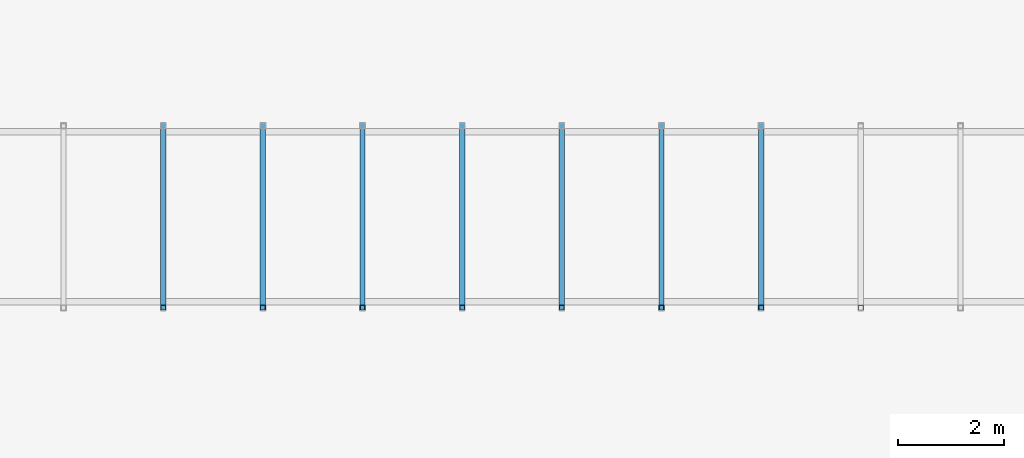
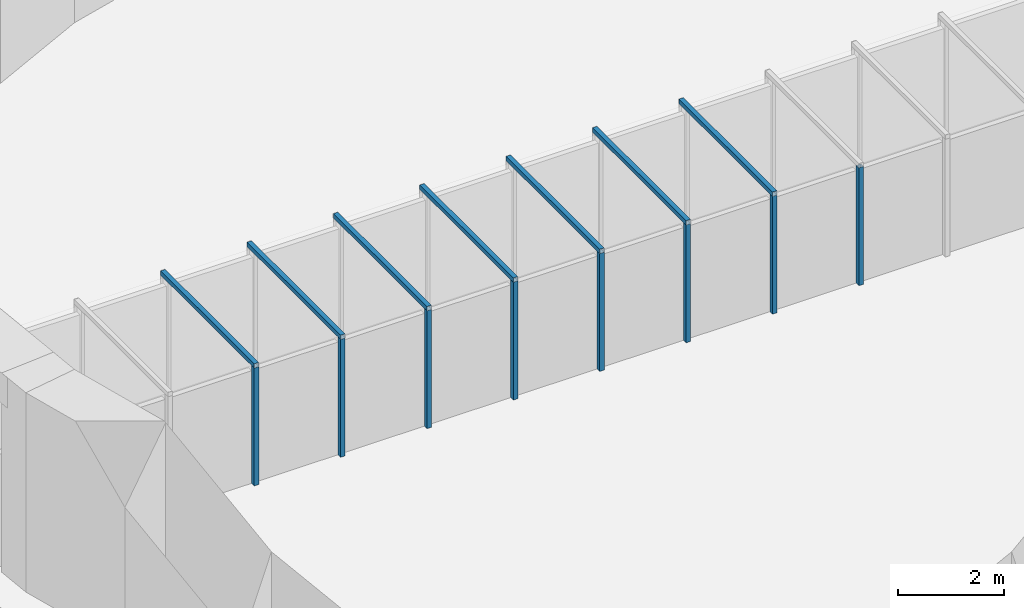
# One storey, part 11 of 85: 15 members, 1 element without a shape of its own.
"""IFC4 building model written with IfcOpenShell, lengths in metres."""

from ifc_helpers import new_model, si_unit, direction, frame, origin, origin_2d, place, context, subcontext, project, spatial, hollow_rectangle, extrude, material, material_profile, profile_set, type_object, element, aggregate, save


model = new_model("IFC4")

# Units and contexts
model_context = context("Model", 3, precision=1e-05, world=origin(), true_north=direction((0.0, 1.0)))
body_context = subcontext(model_context, "Body", "Model", "MODEL_VIEW")
ifc_project = project(units=[si_unit("LENGTHUNIT", "METRE"), si_unit("AREAUNIT", "SQUARE_METRE"), si_unit("VOLUMEUNIT", "CUBIC_METRE"), si_unit("PLANEANGLEUNIT", "RADIAN"), si_unit("MASSUNIT", "GRAM", prefix="KILO")], contexts=[model_context])

# Site, building, storey
site_placement = place(None, origin())
site = spatial("IfcSite", under=ifc_project, at=site_placement, CompositionType="ELEMENT")
building_placement = place(site_placement, origin())
building = spatial("IfcBuilding", under=site, at=building_placement, Name="Volute Hill Aquarium", CompositionType="ELEMENT")
storey_placement = place(building_placement, origin())
storey = spatial("IfcBuildingStorey", under=building, at=storey_placement, Name="L01", CompositionType="ELEMENT", Elevation=0.0)

# Curtain wall, members
ifc_material_1 = material(Name="Acrylic PMMA")
curtain_wall_type = type_object("IfcCurtainWallType", Name="Viewing tunnel acrylic assembly", PredefinedType="NOTDEFINED", material=ifc_material_1)
curtain_wall_placement = place(storey_placement, origin())
curtain_wall = element("IfcCurtainWall", 1, at=curtain_wall_placement, inside=storey, type_object=curtain_wall_type, Name="Viewing tunnel acrylic assembly", PredefinedType="NOTDEFINED")
ifc_material_2 = material(Name="Steel S355", Category="steel")
ifc_material_profile = material_profile(ifc_material_2, hollow_rectangle(XDim=0.10009765625, YDim=0.10009765625, WallThickness=0.0048828125, at=origin_2d()), Name="RHS 100x100x5")
ifc_profile_set = profile_set([ifc_material_profile], Name="Steel S355")
member_type = type_object("IfcMemberType", Name="Tunnel ring frame post RHS 100x100x5 S355", PredefinedType="USERDEFINED", material=ifc_profile_set)
member_1_placement = place(storey_placement, frame((-9.43115234375, -1.719970703125, 0.0), z_axis=(0.0, 0.0, 1.0), x_axis=(1.0, 0.0, 0.0)))
member_1 = element("IfcMember", 2, at=member_1_placement, type_object=member_type, Name="Tunnel ring frame post 4", ObjectType="Tunnel frame", PredefinedType="USERDEFINED", context=body_context, shape_type="SweptSolid", body=[
    extrude(hollow_rectangle(XDim=0.10009765625, YDim=0.10009765625, WallThickness=0.0048828125, at=origin_2d()), origin(), (0.0, 0.0, 1.0), 2.719970703125),
])
member_2_placement = place(storey_placement, frame((-9.43115234375, -1.77001953125, 2.77001953125), z_axis=(0.0, 1.0, 0.0), x_axis=(-1.0, 0.0, 0.0)))
member_2 = element("IfcMember", 3, at=member_2_placement, type_object=member_type, Name="Tunnel ring frame head 4", ObjectType="Tunnel frame", PredefinedType="USERDEFINED", context=body_context, shape_type="SweptSolid", body=[
    extrude(hollow_rectangle(XDim=0.10009765625, YDim=0.10009765625, WallThickness=0.0048828125, at=origin_2d()), origin(), (0.0, 0.0, 1.0), 3.5400390625),
])
member_3_placement = place(storey_placement, frame((-7.544921875, -1.719970703125, 0.0), z_axis=(0.0, 0.0, 1.0), x_axis=(1.0, 0.0, 0.0)))
member_3 = element("IfcMember", 4, at=member_3_placement, type_object=member_type, Name="Tunnel ring frame post 5", ObjectType="Tunnel frame", PredefinedType="USERDEFINED", context=body_context, shape_type="SweptSolid", body=[
    extrude(hollow_rectangle(XDim=0.10009765625, YDim=0.10009765625, WallThickness=0.0048828125, at=origin_2d()), origin(), (0.0, 0.0, 1.0), 2.719970703125),
])
member_4_placement = place(storey_placement, frame((-7.544921875, -1.77001953125, 2.77001953125), z_axis=(0.0, 1.0, 0.0), x_axis=(-1.0, 0.0, 0.0)))
member_4 = element("IfcMember", 5, at=member_4_placement, type_object=member_type, Name="Tunnel ring frame head 5", ObjectType="Tunnel frame", PredefinedType="USERDEFINED", context=body_context, shape_type="SweptSolid", body=[
    extrude(hollow_rectangle(XDim=0.10009765625, YDim=0.10009765625, WallThickness=0.0048828125, at=origin_2d()), origin(), (0.0, 0.0, 1.0), 3.5400390625),
])
member_5_placement = place(storey_placement, frame((-5.65869140625, -1.719970703125, 0.0), z_axis=(0.0, 0.0, 1.0), x_axis=(1.0, 0.0, 0.0)))
member_5 = element("IfcMember", 6, at=member_5_placement, type_object=member_type, Name="Tunnel ring frame post 6", ObjectType="Tunnel frame", PredefinedType="USERDEFINED", context=body_context, shape_type="SweptSolid", body=[
    extrude(hollow_rectangle(XDim=0.10009765625, YDim=0.10009765625, WallThickness=0.0048828125, at=origin_2d()), origin(), (0.0, 0.0, 1.0), 2.719970703125),
])
member_6_placement = place(storey_placement, frame((-5.65869140625, -1.77001953125, 2.77001953125), z_axis=(0.0, 1.0, 0.0), x_axis=(-1.0, 0.0, 0.0)))
member_6 = element("IfcMember", 7, at=member_6_placement, type_object=member_type, Name="Tunnel ring frame head 6", ObjectType="Tunnel frame", PredefinedType="USERDEFINED", context=body_context, shape_type="SweptSolid", body=[
    extrude(hollow_rectangle(XDim=0.10009765625, YDim=0.10009765625, WallThickness=0.0048828125, at=origin_2d()), origin(), (0.0, 0.0, 1.0), 3.5400390625),
])
member_7_placement = place(storey_placement, frame((-3.7724609375, -1.719970703125, 0.0), z_axis=(0.0, 0.0, 1.0), x_axis=(1.0, 0.0, 0.0)))
member_7 = element("IfcMember", 8, at=member_7_placement, type_object=member_type, Name="Tunnel ring frame post 7", ObjectType="Tunnel frame", PredefinedType="USERDEFINED", context=body_context, shape_type="SweptSolid", body=[
    extrude(hollow_rectangle(XDim=0.10009765625, YDim=0.10009765625, WallThickness=0.0048828125, at=origin_2d()), origin(), (0.0, 0.0, 1.0), 2.719970703125),
])
member_8_placement = place(storey_placement, frame((-3.7724609375, -1.77001953125, 2.77001953125), z_axis=(0.0, 1.0, 0.0), x_axis=(-1.0, 0.0, 0.0)))
member_8 = element("IfcMember", 9, at=member_8_placement, type_object=member_type, Name="Tunnel ring frame head 7", ObjectType="Tunnel frame", PredefinedType="USERDEFINED", context=body_context, shape_type="SweptSolid", body=[
    extrude(hollow_rectangle(XDim=0.10009765625, YDim=0.10009765625, WallThickness=0.0048828125, at=origin_2d()), origin(), (0.0, 0.0, 1.0), 3.5400390625),
])
member_9_placement = place(storey_placement, frame((-1.88623046875, -1.719970703125, 0.0), z_axis=(0.0, 0.0, 1.0), x_axis=(1.0, 0.0, 0.0)))
member_9 = element("IfcMember", 10, at=member_9_placement, type_object=member_type, Name="Tunnel ring frame post 8", ObjectType="Tunnel frame", PredefinedType="USERDEFINED", context=body_context, shape_type="SweptSolid", body=[
    extrude(hollow_rectangle(XDim=0.10009765625, YDim=0.10009765625, WallThickness=0.0048828125, at=origin_2d()), origin(), (0.0, 0.0, 1.0), 2.719970703125),
])
member_10_placement = place(storey_placement, frame((-1.88623046875, -1.77001953125, 2.77001953125), z_axis=(0.0, 1.0, 0.0), x_axis=(-1.0, 0.0, 0.0)))
member_10 = element("IfcMember", 11, at=member_10_placement, type_object=member_type, Name="Tunnel ring frame head 8", ObjectType="Tunnel frame", PredefinedType="USERDEFINED", context=body_context, shape_type="SweptSolid", body=[
    extrude(hollow_rectangle(XDim=0.10009765625, YDim=0.10009765625, WallThickness=0.0048828125, at=origin_2d()), origin(), (0.0, 0.0, 1.0), 3.5400390625),
])
member_11_placement = place(storey_placement, frame((0.0, -1.719970703125, 0.0), z_axis=(0.0, 0.0, 1.0), x_axis=(1.0, 0.0, 0.0)))
member_11 = element("IfcMember", 12, at=member_11_placement, type_object=member_type, Name="Tunnel ring frame post 9", ObjectType="Tunnel frame", PredefinedType="USERDEFINED", context=body_context, shape_type="SweptSolid", body=[
    extrude(hollow_rectangle(XDim=0.10009765625, YDim=0.10009765625, WallThickness=0.0048828125, at=origin_2d()), origin(), (0.0, 0.0, 1.0), 2.719970703125),
])
member_12_placement = place(storey_placement, frame((0.0, -1.77001953125, 2.77001953125), z_axis=(0.0, 1.0, 0.0), x_axis=(-1.0, 0.0, 0.0)))
member_12 = element("IfcMember", 13, at=member_12_placement, type_object=member_type, Name="Tunnel ring frame head 9", ObjectType="Tunnel frame", PredefinedType="USERDEFINED", context=body_context, shape_type="SweptSolid", body=[
    extrude(hollow_rectangle(XDim=0.10009765625, YDim=0.10009765625, WallThickness=0.0048828125, at=origin_2d()), origin(), (0.0, 0.0, 1.0), 3.5400390625),
])
member_13_placement = place(storey_placement, frame((1.88623046875, -1.719970703125, 0.0), z_axis=(0.0, 0.0, 1.0), x_axis=(1.0, 0.0, 0.0)))
member_13 = element("IfcMember", 14, at=member_13_placement, type_object=member_type, Name="Tunnel ring frame post 10", ObjectType="Tunnel frame", PredefinedType="USERDEFINED", context=body_context, shape_type="SweptSolid", body=[
    extrude(hollow_rectangle(XDim=0.10009765625, YDim=0.10009765625, WallThickness=0.0048828125, at=origin_2d()), origin(), (0.0, 0.0, 1.0), 2.719970703125),
])
member_14_placement = place(storey_placement, frame((1.88623046875, -1.77001953125, 2.77001953125), z_axis=(0.0, 1.0, 0.0), x_axis=(-1.0, 0.0, 0.0)))
member_14 = element("IfcMember", 15, at=member_14_placement, type_object=member_type, Name="Tunnel ring frame head 10", ObjectType="Tunnel frame", PredefinedType="USERDEFINED", context=body_context, shape_type="SweptSolid", body=[
    extrude(hollow_rectangle(XDim=0.10009765625, YDim=0.10009765625, WallThickness=0.0048828125, at=origin_2d()), origin(), (0.0, 0.0, 1.0), 3.5400390625),
])
member_15_placement = place(storey_placement, frame((3.7724609375, -1.719970703125, 0.0), z_axis=(0.0, 0.0, 1.0), x_axis=(1.0, 0.0, 0.0)))
member_15 = element("IfcMember", 16, at=member_15_placement, type_object=member_type, Name="Tunnel ring frame post 11", ObjectType="Tunnel frame", PredefinedType="USERDEFINED", context=body_context, shape_type="SweptSolid", body=[
    extrude(hollow_rectangle(XDim=0.10009765625, YDim=0.10009765625, WallThickness=0.0048828125, at=origin_2d()), origin(), (0.0, 0.0, 1.0), 2.719970703125),
])
aggregate(curtain_wall, [member_1, member_2, member_3, member_4, member_5, member_6, member_7, member_8, member_9, member_10, member_11, member_12, member_13, member_14, member_15])

save(model, "model.ifc")
